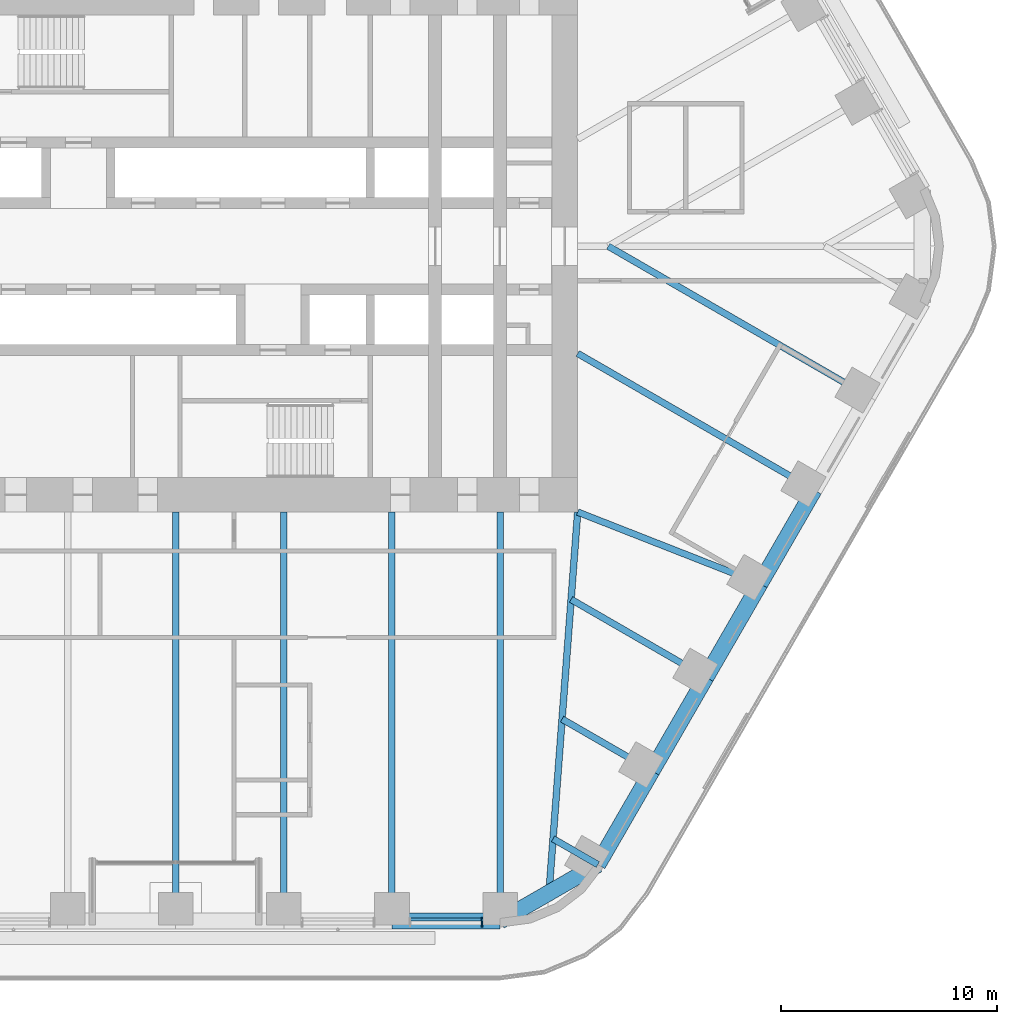
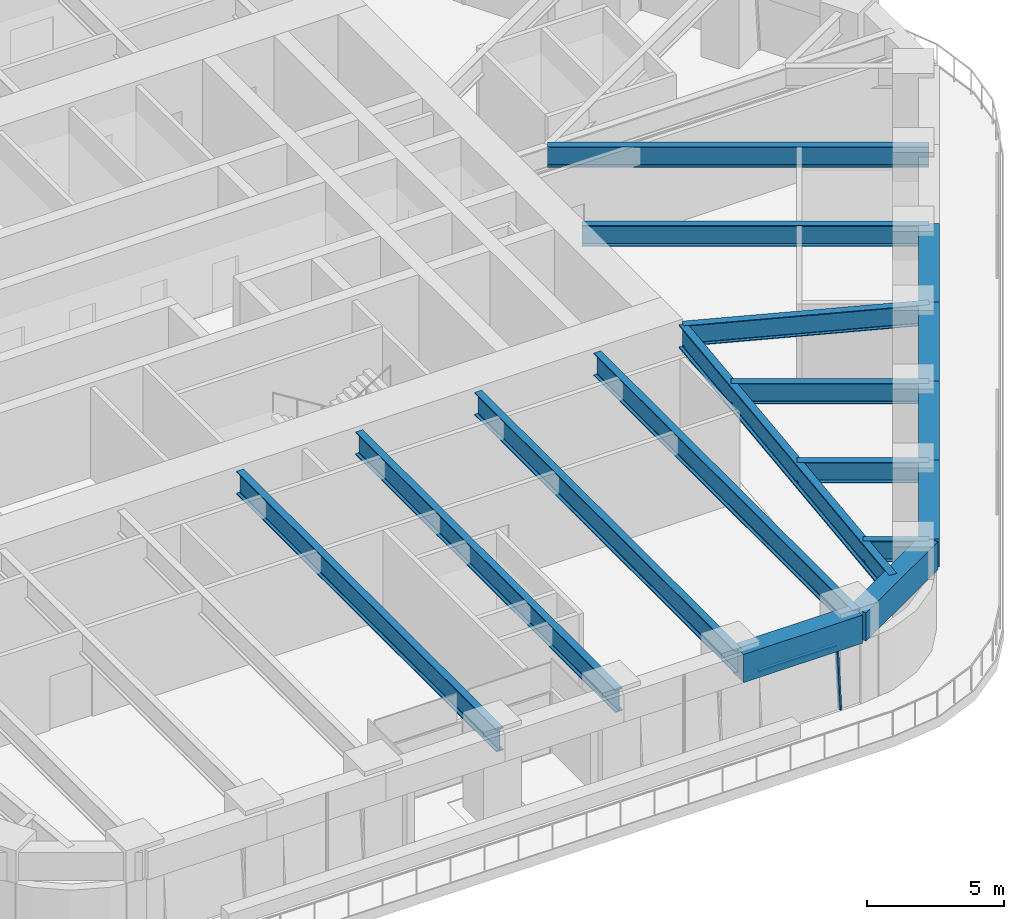
# One storey, part 5 of 24: 17 beams, 2 members, 1 element without a shape of its own.
"""IFC4 building model written with IfcOpenShell, lengths in metres."""

from ifc_helpers import new_model, si_unit, direction, frame, origin, origin_2d, place, context, subcontext, project, spatial, rectangle, i_section, extrude, material, material_profile, profile_set, type_object, element, aggregate, save


model = new_model("IFC4")

# Units and contexts
model_context = context("Model", 3, precision=1e-05, world=origin(), true_north=direction((0.0, 1.0)))
body_context = subcontext(model_context, "Body", "Model", "MODEL_VIEW")
ifc_project = project(units=[si_unit("LENGTHUNIT", "METRE"), si_unit("AREAUNIT", "SQUARE_METRE"), si_unit("VOLUMEUNIT", "CUBIC_METRE"), si_unit("PLANEANGLEUNIT", "RADIAN"), si_unit("MASSUNIT", "GRAM", prefix="KILO")], contexts=[model_context])

# Site, building, storey
site_placement = place(None, origin())
site = spatial("IfcSite", under=ifc_project, at=site_placement, CompositionType="ELEMENT")
building_placement = place(site_placement, origin())
building = spatial("IfcBuilding", under=site, at=building_placement, Name="Tarfa Lantern Tower", CompositionType="ELEMENT")
storey_placement = place(building_placement, frame((0.0, 0.0, 148.89990234375)))
storey = spatial("IfcBuildingStorey", under=building, at=storey_placement, Name="L33", CompositionType="ELEMENT", Elevation=148.89990234375)

# Curtain wall, members
ifc_material_1 = material(Name="Aluminium framed curtain wall", Category="aluminium")
curtain_wall_type = type_object("IfcCurtainWallType", Name="CW2 CANTED GLAZING MID ZONE 2750", PredefinedType="USERDEFINED", material=ifc_material_1)
curtain_wall_placement = place(storey_placement, origin())
curtain_wall = element("IfcCurtainWall", 1, at=curtain_wall_placement, inside=storey, type_object=curtain_wall_type, Name="CW2 SB L33", ObjectType="CURTAIN WALL", PredefinedType="USERDEFINED")
ifc_material_2 = material(Name="Aluminium mullion", Category="aluminium")
ifc_material_profile_1 = material_profile(ifc_material_2, rectangle(XDim=0.06494140625, YDim=0.199951171875, at=origin_2d()), Name="AL MULLION 65x200")
ifc_profile_set_1 = profile_set([ifc_material_profile_1], Name="Aluminium mullion")
member_type_1 = type_object("IfcMemberType", Name="CWM1 MULLION 65x200", PredefinedType="MULLION", material=ifc_profile_set_1)
member_1_placement = place(storey_placement, frame((14.1787109375, -31.39990234375, 0.0), z_axis=(0.0, 0.090535746043, 0.995893206468), x_axis=(-1.0, 0.0, 0.0)))
member_1 = element("IfcMember", 2, at=member_1_placement, type_object=member_type_1, Name="CW2 mullion 2", PredefinedType="MULLION", context=body_context, shape_type="SweptSolid", body=[
    extrude(rectangle(XDim=0.06494140625, YDim=0.199951171875, at=origin_2d()), origin(), (0.0, 0.0, 1.0), 2.76123046875),
])
ifc_material_3 = material(Name="Aluminium transom", Category="aluminium")
ifc_material_profile_2 = material_profile(ifc_material_3, rectangle(XDim=0.14990234375, YDim=0.06494140625, at=origin_2d()), Name="AL TRANSOM 150x65")
ifc_profile_set_2 = profile_set([ifc_material_profile_2], Name="Aluminium transom")
member_type_2 = type_object("IfcMemberType", Name="CWT1 TRANSOM 150x65", PredefinedType="USERDEFINED", material=ifc_profile_set_2)
member_2_placement = place(storey_placement, frame((10.872314453125, -31.153076171875, 2.717529296875), z_axis=(1.0, 0.0, 0.0), x_axis=(0.0, 1.0, 0.0)))
member_2 = element("IfcMember", 3, at=member_2_placement, type_object=member_type_2, Name="CW2 transom 1.2", ObjectType="TRANSOM", PredefinedType="USERDEFINED", context=body_context, shape_type="SweptSolid", body=[
    extrude(rectangle(XDim=0.14990234375, YDim=0.06494140625, at=origin_2d()), origin(), (0.0, 0.0, 1.0), 3.273681640625),
])
aggregate(curtain_wall, [member_1, member_2])

# Beams
ifc_material_4 = material(Name="Concrete C80/95", Category="concrete")
ifc_material_profile_3 = material_profile(ifc_material_4, rectangle(XDim=0.75, YDim=1.25, at=origin_2d()), Name="RC 750x1250")
ifc_profile_set_3 = profile_set([ifc_material_profile_3], Name="Concrete C80/95")
beam_type_1 = type_object("IfcBeamType", Name="EB2 RC 750x1250", PredefinedType="SPANDREL", material=ifc_profile_set_3)
beam_1_placement = place(storey_placement, frame((10.00732421875, -31.219970703125, 3.375), z_axis=(1.0, 0.0, 0.0), x_axis=(0.0, 1.0, 0.0)))
element("IfcBeam", 4, at=beam_1_placement, inside=storey, type_object=beam_type_1, Name="Edge beam S5", PredefinedType="SPANDREL", context=body_context, shape_type="SweptSolid", body=[
    extrude(rectangle(XDim=0.75, YDim=1.25, at=origin_2d()), origin(), (0.0, 0.0, 1.0), 5.003662109375),
])
beam_2_placement = place(storey_placement, frame((15.010986328125, -31.219970703125, 3.375), z_axis=(0.86604150238, 0.499972115377, 0.0), x_axis=(-0.499972115377, 0.86604150238, 0.0)))
element("IfcBeam", 5, at=beam_2_placement, inside=storey, type_object=beam_type_1, Name="Edge beam S6", PredefinedType="SPANDREL", context=body_context, shape_type="SweptSolid", body=[
    extrude(rectangle(XDim=0.75, YDim=1.25, at=origin_2d()), origin(), (0.0, 0.0, 1.0), 5.219970703125),
])
beam_3_placement = place(storey_placement, frame((19.53173828125, -28.610107421875, 3.375), z_axis=(0.500001197378, 0.866024712477, 0.0), x_axis=(-0.866024712477, 0.500001197378, 0.0)))
element("IfcBeam", 6, at=beam_3_placement, inside=storey, type_object=beam_type_1, Name="Edge beam SE0", PredefinedType="SPANDREL", context=body_context, shape_type="SweptSolid", body=[
    extrude(rectangle(XDim=0.75, YDim=1.25, at=origin_2d()), origin(), (0.0, 0.0, 1.0), 5.00390625),
])
for number, where, z_axis, x_axis, name in (
    (7, (22.03369140625, -24.276611328125, 3.375), (0.49998573051, 0.866033642122, 0.0), (-0.866033642122, 0.49998573051, 0.0), "Edge beam SE1"),
    (8, (24.535400390625, -19.943359375, 3.375), (0.500022324899, 0.866012514114, 0.0), (-0.866012514114, 0.500022324899, 0.0), "Edge beam SE2"),
    (9, (27.037353515625, -15.610107421875, 3.375), (0.499964603504, 0.866045838996, 0.0), (-0.866045838996, 0.499964603504, 0.0), "Edge beam SE3"),
):
    element("IfcBeam", number, at=place(storey_placement, frame(where, z_axis=z_axis, x_axis=x_axis)), inside=storey, type_object=beam_type_1, Name=name, PredefinedType="SPANDREL", context=body_context, shape_type="SweptSolid", body=[
        extrude(rectangle(XDim=0.75, YDim=1.25, at=origin_2d()), origin(), (0.0, 0.0, 1.0), 5.003662109375),
    ])
ifc_material_5 = material(Name="Steel S460M", Category="steel")
ifc_material_profile_4 = material_profile(ifc_material_5, i_section(OverallWidth=0.302001953125, OverallDepth=1.008056640625, WebThickness=0.02099609375, FlangeThickness=0.0400390625, FilletRadius=0.030029296875, at=origin_2d()), Name="UB1016x305x349")
ifc_profile_set_4 = profile_set([ifc_material_profile_4], Name="Steel S460M")
beam_type_2 = type_object("IfcBeamType", Name="UB1016x305x349", PredefinedType="BEAM", material=ifc_profile_set_4)
for number, where, z_axis, x_axis, name in (
    (10, (0.0, -31.219970703125, 3.49609375), (0.0, 1.0, 0.0), (-1.0, 0.0, 0.0), "Floor beam S3"),
    (11, (5.003662109375, -31.219970703125, 3.49609375), (0.0, 1.0, 0.0), (-1.0, 0.0, 0.0), "Floor beam S4"),
    (12, (10.00732421875, -31.219970703125, 3.49609375), (0.0, 1.0, 0.0), (-1.0, 0.0, 0.0), "Floor beam S5"),
    (13, (15.010986328125, -31.219970703125, 3.49609375), (0.0, 1.0, 0.0), (-1.0, 0.0, 0.0), "Floor beam S6"),
):
    element("IfcBeam", number, at=place(storey_placement, frame(where, z_axis=z_axis, x_axis=x_axis)), inside=storey, type_object=beam_type_2, Name=name, PredefinedType="BEAM", context=body_context, shape_type="SweptSolid", body=[
        extrude(i_section(OverallWidth=0.302001953125, OverallDepth=1.008056640625, WebThickness=0.02099609375, FlangeThickness=0.0400390625, FilletRadius=0.030029296875, at=origin_2d()), origin(), (0.0, 0.0, 1.0), 18.919921875),
    ])
ifc_material_profile_5 = material_profile(ifc_material_5, i_section(OverallWidth=0.30859375, OverallDepth=1.036376953125, WebThickness=0.030029296875, FlangeThickness=0.05419921875, FilletRadius=0.030029296875, at=origin_2d()), Name="UB1016x305x487")
ifc_profile_set_5 = profile_set([ifc_material_profile_5], Name="Steel S460M")
beam_type_3 = type_object("IfcBeamType", Name="UB1016x305x487", PredefinedType="BEAM", material=ifc_profile_set_5)
beam_4_placement = place(storey_placement, frame((18.60009765625, -12.300048828125, 3.48193359375), z_axis=(-0.075211516041, -0.99716760269, 0.0), x_axis=(0.99716760269, -0.075211516041, 0.0)))
element("IfcBeam", 14, at=beam_4_placement, inside=storey, type_object=beam_type_3, Name="Hip girder SE", PredefinedType="BEAM", context=body_context, shape_type="SweptSolid", body=[
    extrude(i_section(OverallWidth=0.30859375, OverallDepth=1.036376953125, WebThickness=0.030029296875, FlangeThickness=0.05419921875, FilletRadius=0.030029296875, at=origin_2d()), origin(), (0.0, 0.0, 1.0), 17.6650390625),
])
ifc_material_profile_6 = material_profile(ifc_material_5, i_section(OverallWidth=0.305419921875, OverallDepth=0.91845703125, WebThickness=0.017333984375, FlangeThickness=0.02783203125, FilletRadius=0.01904296875, at=origin_2d()), Name="UB914x305x253")
ifc_profile_set_6 = profile_set([ifc_material_profile_6], Name="Steel S460M")
beam_type_4 = type_object("IfcBeamType", Name="UB914x305x253", PredefinedType="BEAM", material=ifc_profile_set_6)
beam_5_placement = place(storey_placement, frame((19.53173828125, -28.610107421875, 3.541015625), z_axis=(-0.865998640954, 0.500046351717, 0.0), x_axis=(-0.500046351717, -0.865998640954, 0.0)))
element("IfcBeam", 15, at=beam_5_placement, inside=storey, type_object=beam_type_4, Name="Floor beam SE0", PredefinedType="BEAM", context=body_context, shape_type="SweptSolid", body=[
    extrude(i_section(OverallWidth=0.305419921875, OverallDepth=0.91845703125, WebThickness=0.017333984375, FlangeThickness=0.02783203125, FilletRadius=0.01904296875, at=origin_2d()), origin(), (0.0, 0.0, 1.0), 2.392333984375),
])
beam_6_placement = place(storey_placement, frame((22.03369140625, -24.276611328125, 3.541015625), z_axis=(-0.866030550462, 0.499991085587, 0.0), x_axis=(-0.499991085587, -0.866030550462, 0.0)))
element("IfcBeam", 16, at=beam_6_placement, inside=storey, type_object=beam_type_4, Name="Floor beam SE1", PredefinedType="BEAM", context=body_context, shape_type="SweptSolid", body=[
    extrude(i_section(OverallWidth=0.305419921875, OverallDepth=0.91845703125, WebThickness=0.017333984375, FlangeThickness=0.02783203125, FilletRadius=0.01904296875, at=origin_2d()), origin(), (0.0, 0.0, 1.0), 4.798828125),
])
beam_7_placement = place(storey_placement, frame((24.535400390625, -19.943359375, 3.541015625), z_axis=(-0.86602647304, 0.499998147991, 0.0), x_axis=(-0.499998147991, -0.86602647304, 0.0)))
element("IfcBeam", 17, at=beam_7_placement, inside=storey, type_object=beam_type_4, Name="Floor beam SE2", PredefinedType="BEAM", context=body_context, shape_type="SweptSolid", body=[
    extrude(i_section(OverallWidth=0.305419921875, OverallDepth=0.91845703125, WebThickness=0.017333984375, FlangeThickness=0.02783203125, FilletRadius=0.01904296875, at=origin_2d()), origin(), (0.0, 0.0, 1.0), 7.20556640625),
])
beam_8_placement = place(storey_placement, frame((27.037353515625, -15.610107421875, 3.541015625), z_axis=(-0.930923282782, 0.365214788274, 0.0), x_axis=(-0.365214788274, -0.930923282782, 0.0)))
element("IfcBeam", 18, at=beam_8_placement, inside=storey, type_object=beam_type_4, Name="Floor beam SE3", PredefinedType="BEAM", context=body_context, shape_type="SweptSolid", body=[
    extrude(i_section(OverallWidth=0.305419921875, OverallDepth=0.91845703125, WebThickness=0.017333984375, FlangeThickness=0.02783203125, FilletRadius=0.01904296875, at=origin_2d()), origin(), (0.0, 0.0, 1.0), 9.063232421875),
])
beam_9_placement = place(storey_placement, frame((29.5390625, -11.276611328125, 3.541015625), z_axis=(-0.866023362995, 0.500003534735, 0.0), x_axis=(-0.500003534735, -0.866023362995, 0.0)))
element("IfcBeam", 19, at=beam_9_placement, inside=storey, type_object=beam_type_4, Name="Floor beam SE4", PredefinedType="BEAM", context=body_context, shape_type="SweptSolid", body=[
    extrude(i_section(OverallWidth=0.305419921875, OverallDepth=0.91845703125, WebThickness=0.017333984375, FlangeThickness=0.02783203125, FilletRadius=0.01904296875, at=origin_2d()), origin(), (0.0, 0.0, 1.0), 12.63134765625),
])
beam_10_placement = place(storey_placement, frame((32.041015625, -6.943359375, 3.541015625), z_axis=(-0.866023096411, 0.500003996466, 0.0), x_axis=(-0.500003996466, -0.866023096411, 0.0)))
element("IfcBeam", 20, at=beam_10_placement, inside=storey, type_object=beam_type_4, Name="Floor beam SE5", PredefinedType="BEAM", context=body_context, shape_type="SweptSolid", body=[
    extrude(i_section(OverallWidth=0.305419921875, OverallDepth=0.91845703125, WebThickness=0.017333984375, FlangeThickness=0.02783203125, FilletRadius=0.01904296875, at=origin_2d()), origin(), (0.0, 0.0, 1.0), 13.88671875),
])

save(model, "model.ifc")
